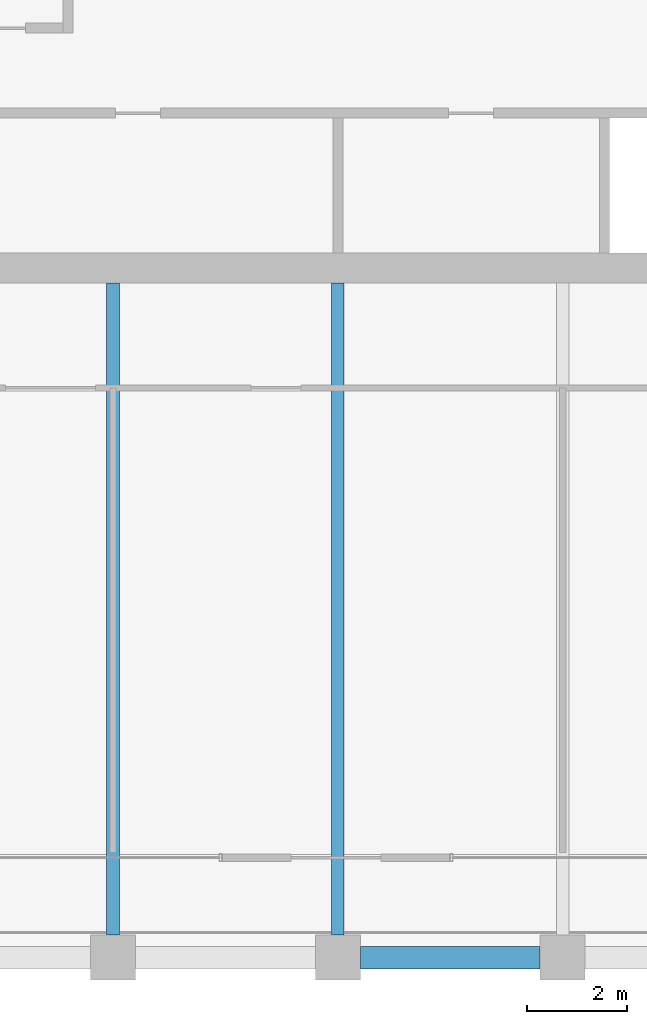
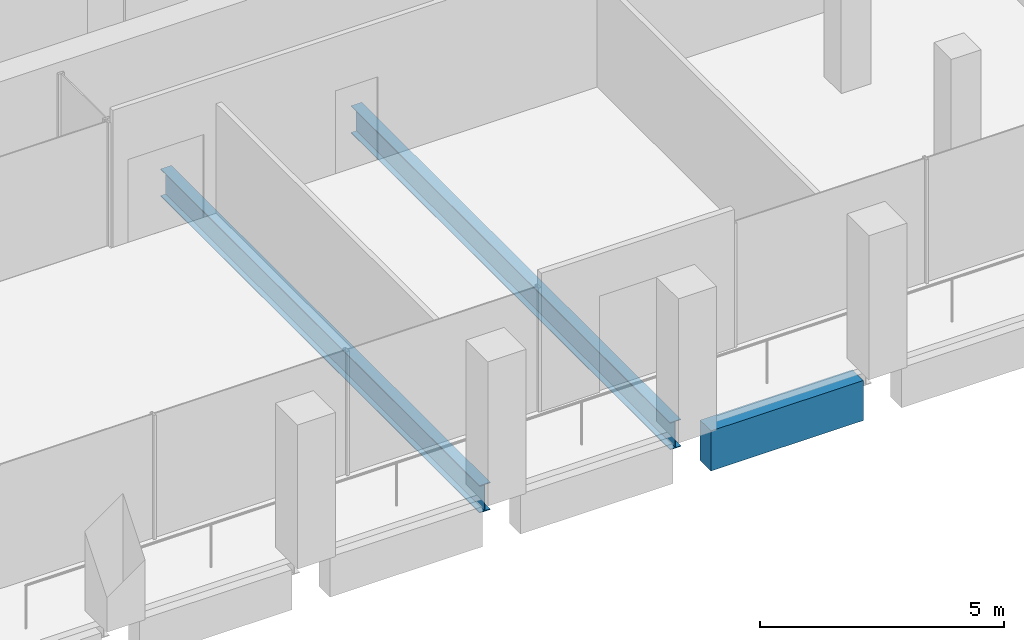
# One storey, part 8 of 40: 3 beams.
"""IFC4 building model written with IfcOpenShell, lengths in metres."""

from ifc_helpers import new_model, si_unit, direction, frame, origin, origin_2d, place, context, subcontext, project, spatial, rectangle, i_section, extrude, material, material_profile, profile_set, type_object, element, save


model = new_model("IFC4")

# Units and contexts
model_context = context("Model", 3, precision=1e-05, world=origin(), true_north=direction((0.0, 1.0)))
body_context = subcontext(model_context, "Body", "Model", "MODEL_VIEW")
ifc_project = project(units=[si_unit("LENGTHUNIT", "METRE"), si_unit("AREAUNIT", "SQUARE_METRE"), si_unit("VOLUMEUNIT", "CUBIC_METRE"), si_unit("PLANEANGLEUNIT", "RADIAN"), si_unit("MASSUNIT", "GRAM", prefix="KILO")], contexts=[model_context])

# Site, building, storey
site_placement = place(None, origin())
site = spatial("IfcSite", under=ifc_project, at=site_placement, CompositionType="ELEMENT")
building_placement = place(site_placement, origin())
building = spatial("IfcBuilding", under=site, at=building_placement, Name="Altepetl Exchange Towers", CompositionType="ELEMENT")
storey_placement = place(building_placement, frame((0.0, 0.0, 158.199951171875)))
storey = spatial("IfcBuildingStorey", under=building, at=storey_placement, Name="L39", CompositionType="ELEMENT", Elevation=158.199951171875)

# Beams
ifc_material_1 = material(Name="Steel S355", Category="steel")
ifc_material_profile_1 = material_profile(ifc_material_1, i_section(OverallWidth=0.25390625, OverallDepth=0.68408203125, WebThickness=0.012451171875, FlangeThickness=0.018798828125, at=origin_2d()), Name="W27X94")
ifc_profile_set_1 = profile_set([ifc_material_profile_1], Name="Steel S355")
beam_type_1 = type_object("IfcBeamType", Name="Floor beam W27X94", PredefinedType="BEAM", material=ifc_profile_set_1)
for number, where, z_axis, x_axis, name in (
    (1, (45.0, 27.449951171875, -0.491943359375), (0.0, 1.0, 0.0), (-1.0, 0.0, 0.0), "bm:A:L39:015"),
    (2, (49.5, 27.449951171875, -0.491943359375), (0.0, 1.0, 0.0), (-1.0, 0.0, 0.0), "bm:A:L39:016"),
):
    element("IfcBeam", number, at=place(storey_placement, frame(where, z_axis=z_axis, x_axis=x_axis)), inside=storey, type_object=beam_type_1, Name=name, PredefinedType="BEAM", context=body_context, shape_type="SweptSolid", body=[
        extrude(i_section(OverallWidth=0.25390625, OverallDepth=0.68408203125, WebThickness=0.012451171875, FlangeThickness=0.018798828125, at=origin_2d()), origin(), (0.0, 0.0, 1.0), 13.050048828125),
    ])
ifc_material_2 = material(Name="Concrete C50/60 precast with cantera blanca facing", Category="concrete")
ifc_material_profile_2 = material_profile(ifc_material_2, rectangle(XDim=0.449951171875, YDim=1.0, at=origin_2d()), Name="450 x 1000")
ifc_profile_set_2 = profile_set([ifc_material_profile_2], Name="Concrete C50/60 precast with cantera blanca facing")
beam_type_2 = type_object("IfcBeamType", Name="Spandrel beam 450x1000 cantera blanca", PredefinedType="SPANDREL", material=ifc_profile_set_2)
beam_placement = place(storey_placement, frame((49.949951171875, 27.0, -0.64990234375), z_axis=(1.0, 0.0, 0.0), x_axis=(0.0, 1.0, 0.0)))
element("IfcBeam", 3, at=beam_placement, inside=storey, type_object=beam_type_2, Name="sp:A:L39:004", PredefinedType="SPANDREL", context=body_context, shape_type="SweptSolid", body=[
    extrude(rectangle(XDim=0.449951171875, YDim=1.0, at=origin_2d()), origin(), (0.0, 0.0, 1.0), 3.60009765625),
])

save(model, "model.ifc")
